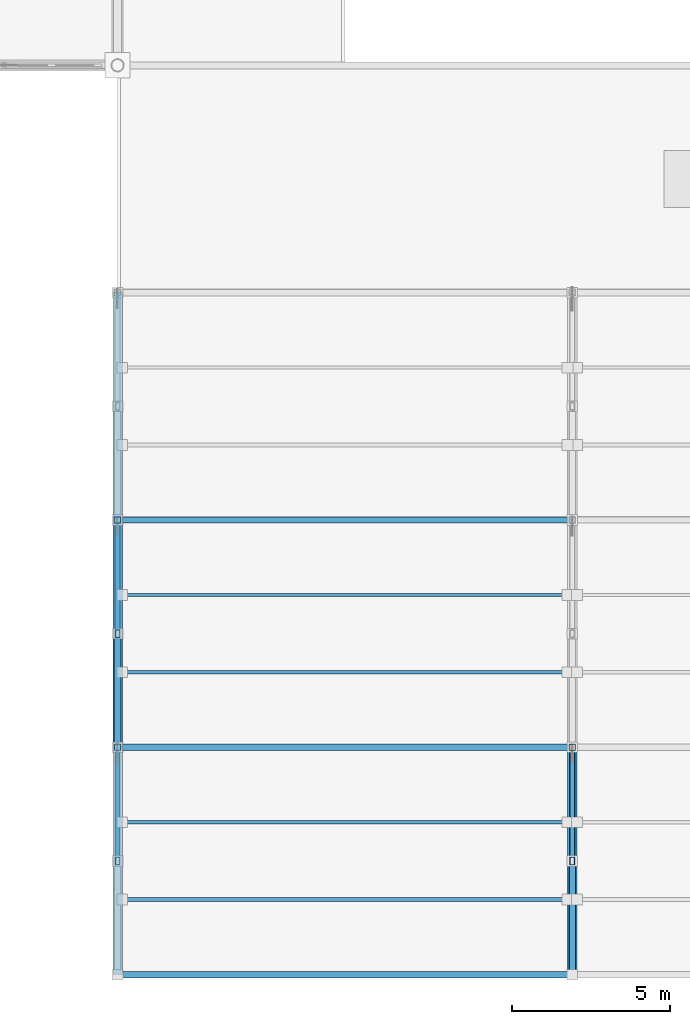
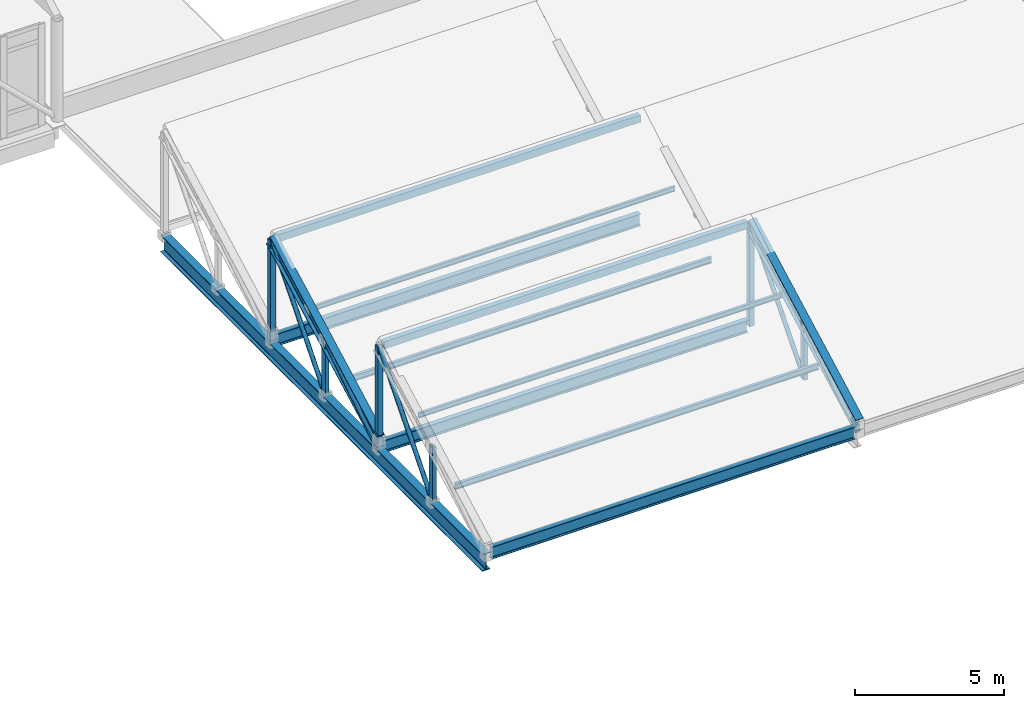
# One storey, part 17 of 62: 19 members, 4 beams.
"""IFC4 building model written with IfcOpenShell, lengths in metres."""

from ifc_helpers import new_model, si_unit, direction, frame, origin, origin_2d, place, context, subcontext, project, spatial, hollow_rectangle, hollow_circle, i_section, extrude, material, material_profile, profile_set, type_object, element, save


model = new_model("IFC4")

# Units and contexts
model_context = context("Model", 3, precision=1e-05, world=origin(), true_north=direction((0.0, 1.0)))
body_context = subcontext(model_context, "Body", "Model", "MODEL_VIEW")
ifc_project = project(units=[si_unit("LENGTHUNIT", "METRE"), si_unit("AREAUNIT", "SQUARE_METRE"), si_unit("VOLUMEUNIT", "CUBIC_METRE"), si_unit("PLANEANGLEUNIT", "RADIAN"), si_unit("MASSUNIT", "GRAM", prefix="KILO")], contexts=[model_context])

# Site, building, storey
site_placement = place(None, origin())
site = spatial("IfcSite", under=ifc_project, at=site_placement, CompositionType="ELEMENT")
building_placement = place(site_placement, origin())
building = spatial("IfcBuilding", under=site, at=building_placement, Name="Valkovuoma Quantum and Materials Research Institute", CompositionType="ELEMENT")
storey_placement = place(building_placement, frame((0.0, 0.0, 13.1201171875)))
storey = spatial("IfcBuildingStorey", under=building, at=storey_placement, Name="L03", CompositionType="ELEMENT", Elevation=13.1201171875)

# Beams
ifc_material_1 = material(Name="Steel S355J2", Category="steel")
ifc_material_profile_1 = material_profile(ifc_material_1, i_section(OverallWidth=0.300048828125, OverallDepth=0.699951171875, WebThickness=0.01708984375, FlangeThickness=0.031982421875, FilletRadius=0.027099609375, at=origin_2d()), Name="Steel S355J2")
ifc_profile_set_1 = profile_set([ifc_material_profile_1], Name="Steel S355J2")
beam_type_1 = type_object("IfcBeamType", Name="Beam-B-HEB700", PredefinedType="BEAM", material=ifc_profile_set_1)
beam_placement = place(storey_placement, frame((100.800048828125, 7.199951171875, -0.650146484375), z_axis=(0.0, 1.0, 0.0), x_axis=(-1.0, 0.0, 0.0)))
element("IfcBeam", 1, at=beam_placement, inside=storey, type_object=beam_type_1, Name="L03 VOL1 sawtooth tie girder 1", PredefinedType="BEAM", context=body_context, shape_type="SweptSolid", body=[
    extrude(i_section(OverallWidth=0.300048828125, OverallDepth=0.699951171875, WebThickness=0.01708984375, FlangeThickness=0.031982421875, FilletRadius=0.027099609375, at=origin_2d()), origin(), (0.0, 0.0, 1.0), 21.60009765625),
])
ifc_material_2 = material(Name="Steel S355J2", Category="steel")
ifc_material_profile_2 = material_profile(ifc_material_2, i_section(OverallWidth=0.199951171875, OverallDepth=0.5, WebThickness=0.01025390625, FlangeThickness=0.01611328125, FilletRadius=0.02099609375, at=origin_2d()), Name="Steel S355J2")
ifc_profile_set_2 = profile_set([ifc_material_profile_2], Name="Steel S355J2")
beam_type_2 = type_object("IfcBeamType", Name="Beam-B-IPE500", PredefinedType="BEAM", material=ifc_profile_set_2)
for number, where, z_axis, x_axis, name in (
    (2, (100.949951171875, 7.199951171875, -0.300048828125), (1.0, 0.0, 0.0), (0.0, 1.0, 0.0), "L03 VOL1 valley beam 1.1"),
    (3, (100.949951171875, 14.39990234375, -0.300048828125), (1.0, 0.0, 0.0), (0.0, 1.0, 0.0), "L03 VOL1 valley beam 2.1"),
    (4, (100.949951171875, 21.60009765625, -0.300048828125), (1.0, 0.0, 0.0), (0.0, 1.0, 0.0), "L03 VOL1 valley beam 3.1"),
):
    element("IfcBeam", number, at=place(storey_placement, frame(where, z_axis=z_axis, x_axis=x_axis)), inside=storey, type_object=beam_type_2, Name=name, PredefinedType="BEAM", context=body_context, shape_type="SweptSolid", body=[
        extrude(i_section(OverallWidth=0.199951171875, OverallDepth=0.5, WebThickness=0.01025390625, FlangeThickness=0.01611328125, FilletRadius=0.02099609375, at=origin_2d()), origin(), (0.0, 0.0, 1.0), 14.10009765625),
    ])

# Members
ifc_material_3 = material(Name="Steel S355J2H", Category="steel")
ifc_material_profile_3 = material_profile(ifc_material_3, hollow_circle(Radius=0.084228515625, WallThickness=0.008056640625, at=origin_2d()), Name="Steel S355J2H")
ifc_profile_set_3 = profile_set([ifc_material_profile_3], Name="Steel S355J2H")
member_type_1 = type_object("IfcMemberType", Name="Mem-M-BRC168", PredefinedType="BRACE", material=ifc_profile_set_3)
member_1_placement = place(storey_placement, frame((100.800048828125, 10.800048828125, -0.35009765625), z_axis=(0.0, 0.650780469282, 0.759265948664), x_axis=(-1.0, 0.0, 0.0)))
element("IfcMember", 5, at=member_1_placement, inside=storey, type_object=member_type_1, Name="L03 VOL1 sawtooth web brace 1.1B", PredefinedType="BRACE", context=body_context, shape_type="SweptSolid", body=[
    extrude(hollow_circle(Radius=0.084228515625, WallThickness=0.008056640625, at=origin_2d()), origin(), (0.0, 0.0, 1.0), 5.531494140625),
])
member_2_placement = place(storey_placement, frame((100.800048828125, 18.0, -0.35009765625), z_axis=(0.0, 0.650805911728, 0.759244140748), x_axis=(-1.0, 0.0, 0.0)))
element("IfcMember", 6, at=member_2_placement, inside=storey, type_object=member_type_1, Name="L03 VOL1 sawtooth web brace 1.2B", PredefinedType="BRACE", context=body_context, shape_type="SweptSolid", body=[
    extrude(hollow_circle(Radius=0.084228515625, WallThickness=0.008056640625, at=origin_2d()), origin(), (0.0, 0.0, 1.0), 5.53173828125),
])
member_3_placement = place(storey_placement, frame((115.199951171875, 10.800048828125, -0.35009765625), z_axis=(0.0, 0.650780469282, 0.759265948664), x_axis=(-1.0, 0.0, 0.0)))
element("IfcMember", 7, at=member_3_placement, inside=storey, type_object=member_type_1, Name="L03 VOL1 sawtooth web brace 2.1B", PredefinedType="BRACE", context=body_context, shape_type="SweptSolid", body=[
    extrude(hollow_circle(Radius=0.084228515625, WallThickness=0.008056640625, at=origin_2d()), origin(), (0.0, 0.0, 1.0), 5.531494140625),
])
ifc_material_4 = material(Name="Steel S355J2H", Category="steel")
ifc_material_profile_4 = material_profile(ifc_material_4, hollow_circle(Radius=0.109619140625, WallThickness=0.010009765625, at=origin_2d()), Name="Steel S355J2H")
ifc_profile_set_4 = profile_set([ifc_material_profile_4], Name="Steel S355J2H")
member_type_2 = type_object("IfcMemberType", Name="Mem-M-BRC219", PredefinedType="BRACE", material=ifc_profile_set_4)
for number, where, z_axis, x_axis, name in (
    (8, (100.800048828125, 14.39990234375, -0.35009765625), (0.0, 0.84536627719, 0.53418709961), (-1.0, 0.0, 0.0), "L03 VOL1 sawtooth web brace 1.2A"),
    (9, (115.199951171875, 7.199951171875, -0.35009765625), (0.0, 0.84536627719, 0.53418709961), (-1.0, 0.0, 0.0), "L03 VOL1 sawtooth web brace 2.1A"),
):
    element("IfcMember", number, at=place(storey_placement, frame(where, z_axis=z_axis, x_axis=x_axis)), inside=storey, type_object=member_type_2, Name=name, PredefinedType="BRACE", context=body_context, shape_type="SweptSolid", body=[
        extrude(hollow_circle(Radius=0.109619140625, WallThickness=0.010009765625, at=origin_2d()), origin(), (0.0, 0.0, 1.0), 4.258544921875),
    ])
ifc_material_5 = material(Name="Steel S355J2H", Category="steel")
ifc_material_profile_5 = material_profile(ifc_material_5, hollow_rectangle(XDim=0.199951171875, YDim=0.300048828125, WallThickness=0.012451171875, at=origin_2d()), Name="Steel S355J2H")
ifc_profile_set_5 = profile_set([ifc_material_profile_5], Name="Steel S355J2H")
member_type_3 = type_object("IfcMemberType", Name="Mem-M-CHD300", PredefinedType="CHORD", material=ifc_profile_set_5)
for number, where, z_axis, x_axis, name in (
    (10, (100.949951171875, 14.39990234375, 3.849853515625), (1.0, 0.0, 0.0), (0.0, 1.0, 0.0), "L03 VOL1 ridge chord 1.1"),
    (11, (100.949951171875, 21.60009765625, 3.849853515625), (1.0, 0.0, 0.0), (0.0, 1.0, 0.0), "L03 VOL1 ridge chord 2.1"),
):
    element("IfcMember", number, at=place(storey_placement, frame(where, z_axis=z_axis, x_axis=x_axis)), inside=storey, type_object=member_type_3, Name=name, PredefinedType="CHORD", context=body_context, shape_type="SweptSolid", body=[
        extrude(hollow_rectangle(XDim=0.199951171875, YDim=0.300048828125, WallThickness=0.012451171875, at=origin_2d()), origin(), (0.0, 0.0, 1.0), 14.10009765625),
    ])
ifc_material_6 = material(Name="Steel S355J2", Category="steel")
ifc_material_profile_6 = material_profile(ifc_material_6, i_section(OverallWidth=0.300048828125, OverallDepth=0.5, WebThickness=0.014404296875, FlangeThickness=0.028076171875, FilletRadius=0.027099609375, at=origin_2d()), Name="Steel S355J2")
ifc_profile_set_6 = profile_set([ifc_material_profile_6], Name="Steel S355J2")
member_type_4 = type_object("IfcMemberType", Name="Mem-M-CHD500", PredefinedType="CHORD", material=ifc_profile_set_6)
member_4_placement = place(storey_placement, frame((100.800048828125, 14.39990234375, 0.0), z_axis=(0.0, 0.881856644358, 0.471517612399), x_axis=(-1.0, 0.0, 0.0)))
element("IfcMember", 12, at=member_4_placement, inside=storey, type_object=member_type_4, Name="L03 VOL1 sawtooth top chord 1.2", PredefinedType="CHORD", context=body_context, shape_type="SweptSolid", body=[
    extrude(i_section(OverallWidth=0.300048828125, OverallDepth=0.5, WebThickness=0.014404296875, FlangeThickness=0.028076171875, FilletRadius=0.027099609375, at=origin_2d()), origin(), (0.0, 0.0, 1.0), 8.164794921875),
])
member_5_placement = place(storey_placement, frame((115.199951171875, 7.199951171875, 0.0), z_axis=(0.0, 0.881849996116, 0.471530046074), x_axis=(-1.0, 0.0, 0.0)))
element("IfcMember", 13, at=member_5_placement, inside=storey, type_object=member_type_4, Name="L03 VOL1 sawtooth top chord 2.1", PredefinedType="CHORD", context=body_context, shape_type="SweptSolid", body=[
    extrude(i_section(OverallWidth=0.300048828125, OverallDepth=0.5, WebThickness=0.014404296875, FlangeThickness=0.028076171875, FilletRadius=0.027099609375, at=origin_2d()), origin(), (0.0, 0.0, 1.0), 8.16455078125),
])
ifc_material_7 = material(Name="Steel S355J2", Category="steel")
ifc_material_profile_7 = material_profile(ifc_material_7, i_section(OverallWidth=0.10009765625, OverallDepth=0.199951171875, WebThickness=0.005615234375, FlangeThickness=0.008544921875, FilletRadius=0.011962890625, at=origin_2d()), Name="Steel S355J2")
ifc_profile_set_7 = profile_set([ifc_material_profile_7], Name="Steel S355J2")
member_type_5 = type_object("IfcMemberType", Name="Mem-M-PRL200", PredefinedType="PURLIN", material=ifc_profile_set_7)
for number, where, z_axis, x_axis, name in (
    (14, (100.949951171875, 12.02392578125, 2.379150390625), (1.0, 0.0, 0.0), (0.0, 1.0, 0.0), "L03 VOL1 roof purlin 1.1.2"),
    (15, (100.949951171875, 19.22412109375, 2.379150390625), (1.0, 0.0, 0.0), (0.0, 1.0, 0.0), "L03 VOL1 roof purlin 2.1.2"),
):
    element("IfcMember", number, at=place(storey_placement, frame(where, z_axis=z_axis, x_axis=x_axis)), inside=storey, type_object=member_type_5, Name=name, PredefinedType="PURLIN", context=body_context, shape_type="SweptSolid", body=[
        extrude(i_section(OverallWidth=0.10009765625, OverallDepth=0.199951171875, WebThickness=0.005615234375, FlangeThickness=0.008544921875, FilletRadius=0.011962890625, at=origin_2d()), origin(), (0.0, 0.0, 1.0), 14.10009765625),
    ])
ifc_material_8 = material(Name="Steel S355J2", Category="steel")
ifc_material_profile_8 = material_profile(ifc_material_8, i_section(OverallWidth=0.1201171875, OverallDepth=0.239990234375, WebThickness=0.006103515625, FlangeThickness=0.009765625, FilletRadius=0.014892578125, at=origin_2d()), Name="Steel S355J2")
ifc_profile_set_8 = profile_set([ifc_material_profile_8], Name="Steel S355J2")
member_type_6 = type_object("IfcMemberType", Name="Mem-M-PRL240", PredefinedType="PURLIN", material=ifc_profile_set_8)
for number, where, z_axis, x_axis, name in (
    (16, (100.949951171875, 9.575927734375, 0.951171875), (1.0, 0.0, 0.0), (0.0, 1.0, 0.0), "L03 VOL1 roof purlin 1.1.1"),
    (17, (100.949951171875, 16.77587890625, 0.951171875), (1.0, 0.0, 0.0), (0.0, 1.0, 0.0), "L03 VOL1 roof purlin 2.1.1"),
):
    element("IfcMember", number, at=place(storey_placement, frame(where, z_axis=z_axis, x_axis=x_axis)), inside=storey, type_object=member_type_6, Name=name, PredefinedType="PURLIN", context=body_context, shape_type="SweptSolid", body=[
        extrude(i_section(OverallWidth=0.1201171875, OverallDepth=0.239990234375, WebThickness=0.006103515625, FlangeThickness=0.009765625, FilletRadius=0.014892578125, at=origin_2d()), origin(), (0.0, 0.0, 1.0), 14.10009765625),
    ])
ifc_material_9 = material(Name="Steel S355J2H", Category="steel")
ifc_material_profile_9 = material_profile(ifc_material_9, hollow_rectangle(XDim=0.199951171875, YDim=0.199951171875, WallThickness=0.010009765625, at=origin_2d()), Name="Steel S355J2H")
ifc_profile_set_9 = profile_set([ifc_material_profile_9], Name="Steel S355J2H")
member_type_7 = type_object("IfcMemberType", Name="Mem-M-STR200", PredefinedType="STRUT", material=ifc_profile_set_9)
for number, where, z_axis, x_axis, name in (
    (18, (100.800048828125, 14.39990234375, -0.35009765625), (0.0, 0.0, 1.0), (1.0, 0.0, 0.0), "L03 VOL1 sawtooth north post 1.1"),
    (19, (100.800048828125, 21.60009765625, -0.35009765625), (0.0, 0.0, 1.0), (1.0, 0.0, 0.0), "L03 VOL1 sawtooth north post 1.2"),
    (20, (115.199951171875, 14.39990234375, -0.35009765625), (0.0, 0.0, 1.0), (1.0, 0.0, 0.0), "L03 VOL1 sawtooth north post 2.1"),
):
    element("IfcMember", number, at=place(storey_placement, frame(where, z_axis=z_axis, x_axis=x_axis)), inside=storey, type_object=member_type_7, Name=name, PredefinedType="STRUT", context=body_context, shape_type="SweptSolid", body=[
        extrude(hollow_rectangle(XDim=0.199951171875, YDim=0.199951171875, WallThickness=0.010009765625, at=origin_2d()), origin(), (0.0, 0.0, 1.0), 4.199951171875),
    ])
ifc_material_10 = material(Name="Steel S355J2H", Category="steel")
ifc_material_profile_10 = material_profile(ifc_material_10, hollow_rectangle(XDim=0.14990234375, YDim=0.25, WallThickness=0.010009765625, at=origin_2d()), Name="Steel S355J2H")
ifc_profile_set_10 = profile_set([ifc_material_profile_10], Name="Steel S355J2H")
member_type_8 = type_object("IfcMemberType", Name="Mem-M-STR250R", PredefinedType="STRUT", material=ifc_profile_set_10)
for number, where, z_axis, x_axis, name in (
    (21, (100.800048828125, 10.800048828125, -0.35009765625), (0.0, 0.0, 1.0), (1.0, 0.0, 0.0), "L03 VOL1 sawtooth mid strut 1.1"),
    (22, (100.800048828125, 18.0, -0.35009765625), (0.0, 0.0, 1.0), (1.0, 0.0, 0.0), "L03 VOL1 sawtooth mid strut 1.2"),
    (23, (115.199951171875, 10.800048828125, -0.35009765625), (0.0, 0.0, 1.0), (1.0, 0.0, 0.0), "L03 VOL1 sawtooth mid strut 2.1"),
):
    element("IfcMember", number, at=place(storey_placement, frame(where, z_axis=z_axis, x_axis=x_axis)), inside=storey, type_object=member_type_8, Name=name, PredefinedType="STRUT", context=body_context, shape_type="SweptSolid", body=[
        extrude(hollow_rectangle(XDim=0.14990234375, YDim=0.25, WallThickness=0.010009765625, at=origin_2d()), origin(), (0.0, 0.0, 1.0), 2.27490234375),
    ])

save(model, "model.ifc")
